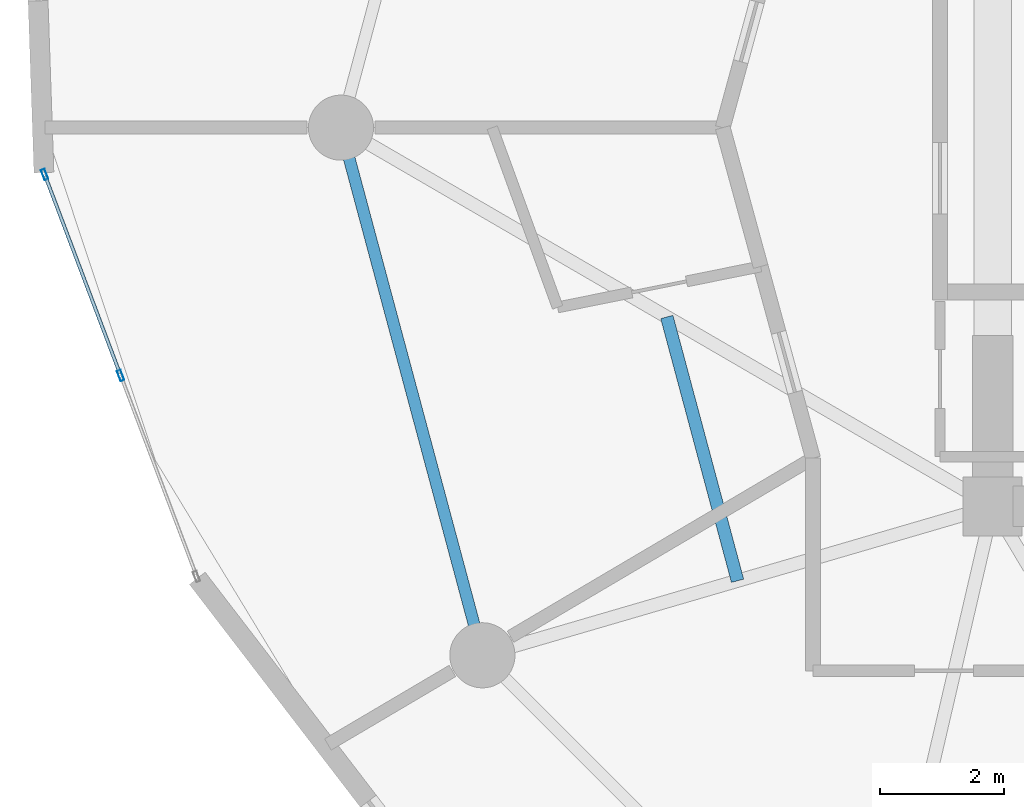
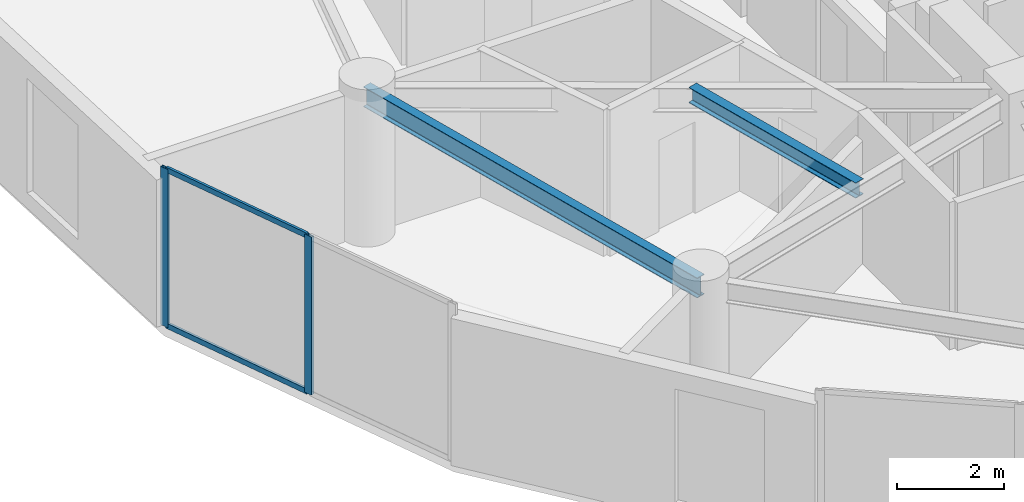
# One storey, part 6 of 23: 4 members, 2 beams, 1 element without a shape of its own.
"""IFC4 building model written with IfcOpenShell, lengths in metres."""

from ifc_helpers import new_model, si_unit, direction, frame, origin, origin_2d, place, context, subcontext, project, spatial, hollow_rectangle, i_section, extrude, source, transform, mapped, material, layer, layer_set, material_profile, profile_set, type_object, element, aggregate, save


model = new_model("IFC4")

# Units and contexts
model_context = context("Model", 3, precision=1e-05, world=origin(), true_north=direction((0.0, 1.0)))
body_context = subcontext(model_context, "Body", "Model", "MODEL_VIEW")
ifc_project = project(units=[si_unit("LENGTHUNIT", "METRE"), si_unit("AREAUNIT", "SQUARE_METRE"), si_unit("VOLUMEUNIT", "CUBIC_METRE"), si_unit("PLANEANGLEUNIT", "RADIAN"), si_unit("MASSUNIT", "GRAM", prefix="KILO")], contexts=[model_context])

# Site, building, storey
site_placement = place(None, origin())
site = spatial("IfcSite", under=ifc_project, at=site_placement, CompositionType="ELEMENT")
building_placement = place(site_placement, origin())
building = spatial("IfcBuilding", under=site, at=building_placement, Name="Solvirekh Grand Hotel", CompositionType="ELEMENT")
storey_placement = place(building_placement, frame((0.0, 0.0, 109.800048828125)))
storey = spatial("IfcBuildingStorey", under=building, at=storey_placement, Name="L27", CompositionType="ELEMENT", Elevation=109.800048828125)

# Beams
ifc_material_1 = material(Name="Steel S355", Category="steel")
ifc_material_profile_1 = material_profile(ifc_material_1, i_section(OverallWidth=0.2041015625, OverallDepth=0.35009765625, WebThickness=0.009033203125, FlangeThickness=0.014892578125, FilletRadius=0.010986328125, at=origin_2d()), Name="W360X72")
ifc_profile_set_1 = profile_set([ifc_material_profile_1], Name="Steel S355")
beam_type_1 = type_object("IfcBeamType", Name="Joist_Floor_W360", PredefinedType="JOIST", material=ifc_profile_set_1)
beam_1_placement = place(storey_placement, frame((-11.75, -3.050048828125, 3.175048828125), z_axis=(0.258847024572, -0.965918328778, 0.0), x_axis=(0.965918328778, 0.258847024572, 0.0)))
element("IfcBeam", 1, at=beam_1_placement, inside=storey, type_object=beam_type_1, Name="L27 secondary composite floor joist 7", PredefinedType="JOIST", context=body_context, shape_type="SweptSolid", body=[
    extrude(i_section(OverallWidth=0.2041015625, OverallDepth=0.35009765625, WebThickness=0.009033203125, FlangeThickness=0.014892578125, FilletRadius=0.010986328125, at=origin_2d()), origin(), (0.0, 0.0, 1.0), 4.39990234375),
])
ifc_material_profile_2 = material_profile(ifc_material_1, i_section(OverallWidth=0.18994140625, OverallDepth=0.45703125, WebThickness=0.009033203125, FlangeThickness=0.013916015625, FilletRadius=0.012939453125, at=origin_2d()), Name="W460X74")
ifc_profile_set_2 = profile_set([ifc_material_profile_2], Name="Steel S355")
beam_type_2 = type_object("IfcBeamType", Name="Spandrel_Ring_W460", PredefinedType="SPANDREL", material=ifc_profile_set_2)
beam_2_placement = place(storey_placement, frame((-17.0, 0.0, 3.1220703125), z_axis=(0.258872908946, -0.965911391906, 0.0), x_axis=(0.965911391906, 0.258872908946, 0.0)))
element("IfcBeam", 2, at=beam_2_placement, inside=storey, type_object=beam_type_2, Name="L27 perimeter spandrel beam 7", PredefinedType="SPANDREL", context=body_context, shape_type="SweptSolid", body=[
    extrude(i_section(OverallWidth=0.18994140625, OverallDepth=0.45703125, WebThickness=0.009033203125, FlangeThickness=0.013916015625, FilletRadius=0.012939453125, at=origin_2d()), origin(), (0.0, 0.0, 1.0), 8.800048828125),
])

# Curtain wall, members
ifc_material_2 = material(Name="Anodized Bronze Aluminium 6063-T6", Category="aluminium")
ifc_layer = layer(ifc_material_2, 0.175048828125)
ifc_layer_set = layer_set([ifc_layer], Name="Anodized Bronze Aluminium 6063-T6")
curtain_wall_type = type_object("IfcCurtainWallType", Name="CW_Sys3_MidZoneFlushBronzeCW", PredefinedType="NOTDEFINED", material=ifc_layer_set)
curtain_wall_placement = place(storey_placement, origin())
curtain_wall = element("IfcCurtainWall", 3, at=curtain_wall_placement, inside=storey, type_object=curtain_wall_type, Name="L27 unitised bronze-glass curtain wall CW-L27-C13", PredefinedType="NOTDEFINED")
ifc_material_profile_3 = material_profile(ifc_material_2, hollow_rectangle(XDim=0.06494140625, YDim=0.175048828125, WallThickness=0.0048828125, at=origin_2d()), Name="ALU RHS 175X65X5")
ifc_profile_set_3 = profile_set([ifc_material_profile_3], Name="Anodized Bronze Aluminium 6063-T6")
member_type_1 = type_object("IfcMemberType", Name="CWMullion_Sys3", PredefinedType="MULLION", material=ifc_profile_set_3)
shared_shape_1 = source(origin(), body_context, "Body", "SweptSolid", [
    extrude(hollow_rectangle(XDim=0.06494140625, YDim=0.175048828125, WallThickness=0.0048828125, at=origin_2d()), origin(), (0.0, 0.0, 1.0), 3.599853515625),
])
member_1_placement = place(storey_placement, frame((-21.7744140625, -0.75341796875, 0.0), z_axis=(0.0, 0.0, 1.0), x_axis=(0.935420579411, 0.353536899934, 0.0)))
member_1 = element("IfcMember", 4, at=member_1_placement, type_object=member_type_1, Name="U03 mullion 1", PredefinedType="MULLION", context=body_context, shape_type="MappedRepresentation", body=[
    mapped(shared_shape_1, transform((0.0, 0.0, 0.0), x_axis=(1.0, 0.0, 0.0), y_axis=(0.0, 1.0, 0.0), z_axis=(0.0, 0.0, 1.0), scale=1.0)),
])
member_2_placement = place(storey_placement, frame((-20.550537109375, -3.991943359375, 0.0), z_axis=(0.0, 0.0, 1.0), x_axis=(0.935420579411, 0.353536899934, 0.0)))
member_2 = element("IfcMember", 5, at=member_2_placement, type_object=member_type_1, Name="U03 mullion 2", PredefinedType="MULLION", context=body_context, shape_type="MappedRepresentation", body=[
    mapped(shared_shape_1, transform((0.0, 0.0, 0.0), x_axis=(1.0, 0.0, 0.0), y_axis=(0.0, 1.0, 0.0), z_axis=(0.0, 0.0, 1.0), scale=1.0)),
])
ifc_material_profile_4 = material_profile(ifc_material_2, hollow_rectangle(XDim=0.054931640625, YDim=0.1201171875, WallThickness=0.00390625, at=origin_2d()), Name="ALU RHS 120X55X4")
ifc_profile_set_4 = profile_set([ifc_material_profile_4], Name="Anodized Bronze Aluminium 6063-T6")
member_type_2 = type_object("IfcMemberType", Name="CWTransom_Sys3", PredefinedType="USERDEFINED", material=ifc_profile_set_4)
shared_shape_2 = source(origin(), body_context, "Body", "SweptSolid", [
    extrude(hollow_rectangle(XDim=0.054931640625, YDim=0.1201171875, WallThickness=0.00390625, at=origin_2d()), origin(), (0.0, 0.0, 1.0), 3.397216796875),
])
member_3_placement = place(storey_placement, frame((-21.762939453125, -0.78369140625, 0.02734375), z_axis=(0.353492802233, -0.935437244699, 0.0), x_axis=(0.935437244699, 0.353492802233, 0.0)))
member_3 = element("IfcMember", 6, at=member_3_placement, type_object=member_type_2, Name="U03 transom 1.1", ObjectType="TRANSOM", PredefinedType="USERDEFINED", context=body_context, shape_type="MappedRepresentation", body=[
    mapped(shared_shape_2, transform((0.0, 0.0, 0.0), x_axis=(1.0, 0.0, 0.0), y_axis=(0.0, 1.0, 0.0), z_axis=(0.0, 0.0, 1.0), scale=1.0)),
])
member_4_placement = place(storey_placement, frame((-21.762939453125, -0.78369140625, 3.572509765625), z_axis=(0.353492802233, -0.935437244699, 0.0), x_axis=(0.935437244699, 0.353492802233, 0.0)))
member_4 = element("IfcMember", 7, at=member_4_placement, type_object=member_type_2, Name="U03 transom 1.2", ObjectType="TRANSOM", PredefinedType="USERDEFINED", context=body_context, shape_type="MappedRepresentation", body=[
    mapped(shared_shape_2, transform((0.0, 0.0, 0.0), x_axis=(1.0, 0.0, 0.0), y_axis=(0.0, 1.0, 0.0), z_axis=(0.0, 0.0, 1.0), scale=1.0)),
])
aggregate(curtain_wall, [member_1, member_2, member_3, member_4])

save(model, "model.ifc")
